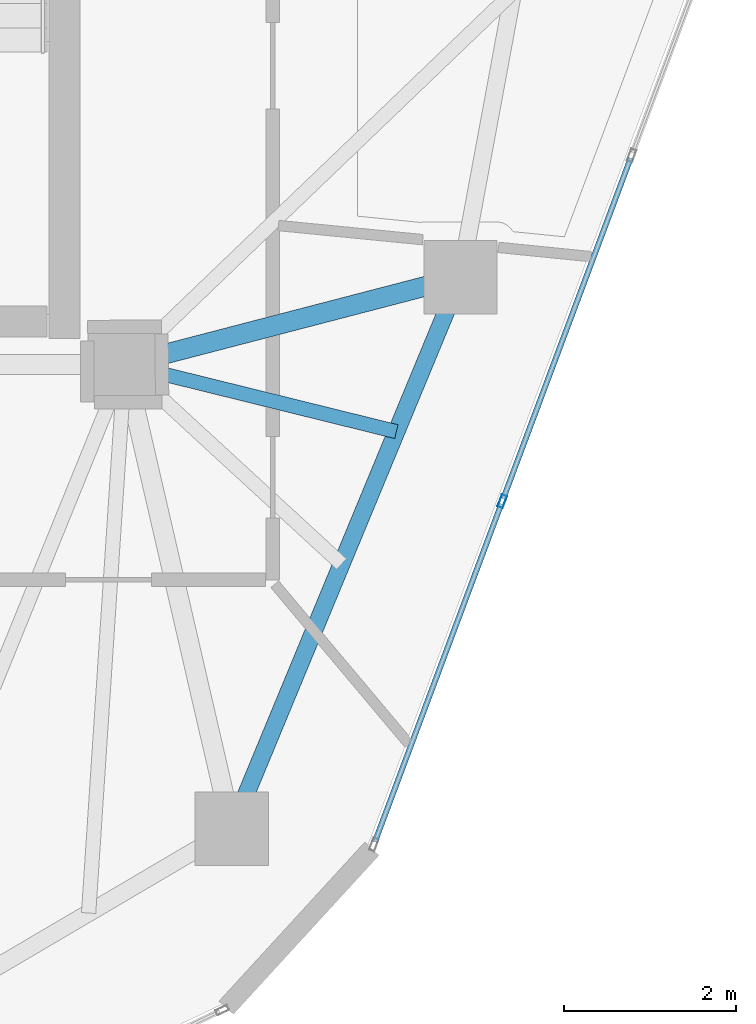
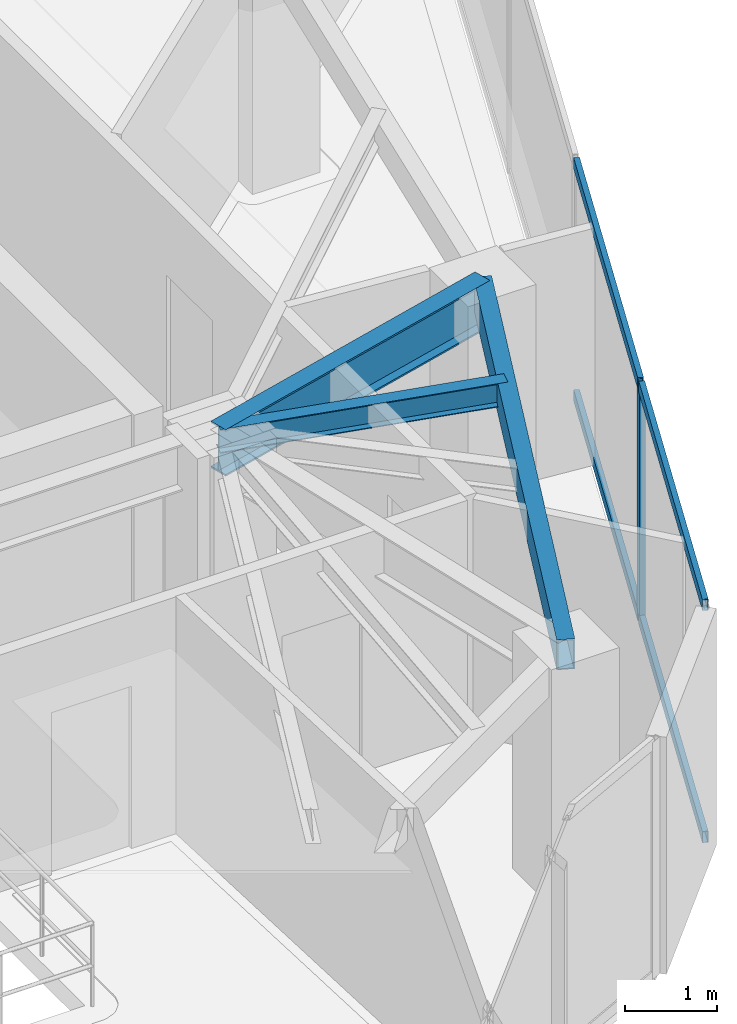
# One storey, part 7 of 20: 5 members, 3 beams, 1 element without a shape of its own.
"""IFC4 building model written with IfcOpenShell, lengths in metres."""

from ifc_helpers import new_model, si_unit, direction, frame, origin, origin_2d, place, context, subcontext, project, spatial, hollow_rectangle, i_section, extrude, source, transform, mapped, material, layer, layer_set, material_profile, profile_set, type_object, type_shapes, element, aggregate, save


model = new_model("IFC4")

# Units and contexts
model_context = context("Model", 3, precision=1e-05, world=origin(), true_north=direction((0.0, 1.0)))
body_context = subcontext(model_context, "Body", "Model", "MODEL_VIEW")
ifc_project = project(units=[si_unit("LENGTHUNIT", "METRE"), si_unit("AREAUNIT", "SQUARE_METRE"), si_unit("VOLUMEUNIT", "CUBIC_METRE"), si_unit("PLANEANGLEUNIT", "RADIAN"), si_unit("MASSUNIT", "GRAM", prefix="KILO")], contexts=[model_context])

# Site, building, storey
site_placement = place(None, origin())
site = spatial("IfcSite", under=ifc_project, at=site_placement, CompositionType="ELEMENT")
building_placement = place(site_placement, origin())
building = spatial("IfcBuilding", under=site, at=building_placement, Name="Talar Marvaseh", CompositionType="ELEMENT")
storey_placement = place(building_placement, frame((0.0, 0.0, 268.0)))
storey = spatial("IfcBuildingStorey", under=building, at=storey_placement, Name="L71", CompositionType="ELEMENT", Elevation=268.0)

# Beams
ifc_material_1 = material(Name="Steel S355", Category="steel")
ifc_material_profile_1 = material_profile(ifc_material_1, hollow_rectangle(XDim=0.199951171875, YDim=0.39990234375, WallThickness=0.013916015625, at=origin_2d()), Name="RHS400x200x14")
ifc_profile_set_1 = profile_set([ifc_material_profile_1], Name="Steel S355")
beam_type_1 = type_object("IfcBeamType", Name="Zone 3 Perimeter Spandrel Beam RHS400x200x14", PredefinedType="SPANDREL", material=ifc_profile_set_1)
beam_1_placement = place(storey_placement, frame((37.197021484375, 26.513916015625, 2.93994140625), z_axis=(-0.382798740112, -0.923831762048, 0.0), x_axis=(0.923831762048, -0.382798740112, 0.0)))
element("IfcBeam", 1, at=beam_1_placement, inside=storey, type_object=beam_type_1, Name="L71 Zone 3 Perimeter Spandrel Beam RHS400x200x14", PredefinedType="SPANDREL", context=body_context, shape_type="SweptSolid", body=[
    extrude(hollow_rectangle(XDim=0.199951171875, YDim=0.39990234375, WallThickness=0.013916015625, at=origin_2d()), origin(), (0.0, 0.0, 1.0), 6.9306640625),
])
ifc_material_profile_2 = material_profile(ifc_material_1, i_section(OverallWidth=0.166015625, OverallDepth=0.31298828125, WebThickness=0.006591796875, FlangeThickness=0.01123046875, at=origin_2d()), Name="W310x45")
ifc_profile_set_2 = profile_set([ifc_material_profile_2], Name="Steel S355")
beam_type_2 = type_object("IfcBeamType", Name="Zone 3 Secondary Floor Joist W310x45", PredefinedType="JOIST", material=ifc_profile_set_2)
beam_2_placement = place(storey_placement, frame((36.4541015625, 24.72119140625, 2.9833984375), z_axis=(-0.970841284349, 0.239723174942, 0.0), x_axis=(-0.239723174942, -0.970841284349, 0.0)))
element("IfcBeam", 2, at=beam_2_placement, inside=storey, type_object=beam_type_2, Name="L71 Zone 3 Secondary Floor Joist W310x45", PredefinedType="JOIST", context=body_context, shape_type="SweptSolid", body=[
    extrude(i_section(OverallWidth=0.166015625, OverallDepth=0.31298828125, WebThickness=0.006591796875, FlangeThickness=0.01123046875, at=origin_2d()), origin(), (0.0, 0.0, 1.0), 3.248779296875),
])
ifc_material_profile_3 = material_profile(ifc_material_1, i_section(OverallWidth=0.22998046875, OverallDepth=0.616943359375, WebThickness=0.01318359375, FlangeThickness=0.022216796875, at=origin_2d()), Name="W610x140")
ifc_profile_set_3 = profile_set([ifc_material_profile_3], Name="Steel S355")
beam_type_3 = type_object("IfcBeamType", Name="Zone 4 Radial Floor Girder W610x140", PredefinedType="BEAM", material=ifc_profile_set_3)
beam_3_placement = place(storey_placement, frame((37.197021484375, 26.513916015625, 2.83154296875), z_axis=(-0.967779967746, -0.251797406719, 0.0), x_axis=(0.251797406719, -0.967779967746, 0.0)))
element("IfcBeam", 3, at=beam_3_placement, inside=storey, type_object=beam_type_3, Name="L71 Zone 4 Radial Floor Girder W610x140", PredefinedType="BEAM", context=body_context, shape_type="SweptSolid", body=[
    extrude(i_section(OverallWidth=0.22998046875, OverallDepth=0.616943359375, WebThickness=0.01318359375, FlangeThickness=0.022216796875, at=origin_2d()), origin(), (0.0, 0.0, 1.0), 4.026611328125),
])

# Curtain wall, members
ifc_material_2 = material(Name="Architectural Aluminium", Category="aluminium")
ifc_layer = layer(ifc_material_2, 0.179931640625)
ifc_layer_set = layer_set([ifc_layer], Name="Architectural Aluminium")
curtain_wall_type = type_object("IfcCurtainWallType", Name="Unitised High-Wind Sky Curtain Wall Z4", PredefinedType="NOTDEFINED", material=ifc_layer_set)
curtain_wall_placement = place(storey_placement, origin())
curtain_wall = element("IfcCurtainWall", 4, at=curtain_wall_placement, inside=storey, type_object=curtain_wall_type, Name="L71 Unitised High-Wind Sky Curtain Wall Z4", PredefinedType="NOTDEFINED")
ifc_material_profile_4 = material_profile(ifc_material_2, hollow_rectangle(XDim=0.06494140625, YDim=0.14990234375, WallThickness=0.00390625, at=origin_2d()), Name="RHS150x65x4")
ifc_profile_set_4 = profile_set([ifc_material_profile_4], Name="Architectural Aluminium")
member_type_1 = type_object("IfcMemberType", Name="Unitised Curtain Wall Slim Mullion RHS150x65x4", PredefinedType="MULLION", material=ifc_profile_set_4)
shared_shape_1 = source(origin(), body_context, "Body", "SweptSolid", [
    extrude(hollow_rectangle(XDim=0.06494140625, YDim=0.14990234375, WallThickness=0.00390625, at=origin_2d()), origin(), (0.0, 0.0, 1.0), 3.139892578125),
])
type_shapes(member_type_1, [shared_shape_1])
member_1_placement = place(storey_placement, frame((37.683349609375, 23.912353515625, 0.0), z_axis=(0.0, 0.0, 1.0), x_axis=(0.93661841065, -0.350351185001, 0.0)))
member_1 = element("IfcMember", 5, at=member_1_placement, type_object=member_type_1, Name="CW-Z4 mullion 4", PredefinedType="MULLION", context=body_context, shape_type="MappedRepresentation", body=[
    mapped(shared_shape_1, transform((0.0, 0.0, 0.0), x_axis=(1.0, 0.0, 0.0), y_axis=(0.0, 1.0, 0.0), z_axis=(0.0, 0.0, 1.0), scale=1.0)),
])
ifc_material_profile_5 = material_profile(ifc_material_2, hollow_rectangle(XDim=0.06494140625, YDim=0.14990234375, WallThickness=0.00390625, at=origin_2d()), Name="RHS150x65x4")
ifc_profile_set_5 = profile_set([ifc_material_profile_5], Name="Architectural Aluminium")
member_type_2 = type_object("IfcMemberType", Name="Unitised Curtain Wall Slim Transom RHS150x65x4", PredefinedType="USERDEFINED", material=ifc_profile_set_5)
shared_shape_2 = source(origin(), body_context, "Body", "SweptSolid", [
    extrude(hollow_rectangle(XDim=0.06494140625, YDim=0.14990234375, WallThickness=0.00390625, at=origin_2d()), origin(), (0.0, 0.0, 1.0), 4.188720703125),
])
member_2_placement = place(storey_placement, frame((37.671875, 23.882080078125, 0.032470703125), z_axis=(-0.350344073233, -0.936621070845, 0.0), x_axis=(0.936621070845, -0.350344073233, 0.0)))
member_2 = element("IfcMember", 6, at=member_2_placement, type_object=member_type_2, Name="CW-Z4 transom 4.1", ObjectType="TRANSOM", PredefinedType="USERDEFINED", context=body_context, shape_type="MappedRepresentation", body=[
    mapped(shared_shape_2, transform((0.0, 0.0, 0.0), x_axis=(1.0, 0.0, 0.0), y_axis=(0.0, 1.0, 0.0), z_axis=(0.0, 0.0, 1.0), scale=1.0)),
])
member_3_placement = place(storey_placement, frame((37.671875, 23.882080078125, 3.107421875), z_axis=(-0.350344073233, -0.936621070845, 0.0), x_axis=(0.936621070845, -0.350344073233, 0.0)))
member_3 = element("IfcMember", 7, at=member_3_placement, type_object=member_type_2, Name="CW-Z4 transom 4.2", ObjectType="TRANSOM", PredefinedType="USERDEFINED", context=body_context, shape_type="MappedRepresentation", body=[
    mapped(shared_shape_2, transform((0.0, 0.0, 0.0), x_axis=(1.0, 0.0, 0.0), y_axis=(0.0, 1.0, 0.0), z_axis=(0.0, 0.0, 1.0), scale=1.0)),
])
shared_shape_3 = source(origin(), body_context, "Body", "SweptSolid", [
    extrude(hollow_rectangle(XDim=0.06494140625, YDim=0.14990234375, WallThickness=0.00390625, at=origin_2d()), origin(), (0.0, 0.0, 1.0), 4.22119140625),
])
type_shapes(member_type_2, [shared_shape_2, shared_shape_3])
member_4_placement = place(storey_placement, frame((39.173583984375, 27.896484375, 0.032470703125), z_axis=(-0.350375412431, -0.936609347788, 0.0), x_axis=(0.936609347788, -0.350375412431, 0.0)))
member_4 = element("IfcMember", 8, at=member_4_placement, type_object=member_type_2, Name="CW-Z4 transom 3.1", ObjectType="TRANSOM", PredefinedType="USERDEFINED", context=body_context, shape_type="MappedRepresentation", body=[
    mapped(shared_shape_3, transform((0.0, 0.0, 0.0), x_axis=(1.0, 0.0, 0.0), y_axis=(0.0, 1.0, 0.0), z_axis=(0.0, 0.0, 1.0), scale=1.0)),
])
member_5_placement = place(storey_placement, frame((39.173583984375, 27.896484375, 3.107421875), z_axis=(-0.350375412431, -0.936609347788, 0.0), x_axis=(0.936609347788, -0.350375412431, 0.0)))
member_5 = element("IfcMember", 9, at=member_5_placement, type_object=member_type_2, Name="CW-Z4 transom 3.2", ObjectType="TRANSOM", PredefinedType="USERDEFINED", context=body_context, shape_type="MappedRepresentation", body=[
    mapped(shared_shape_3, transform((0.0, 0.0, 0.0), x_axis=(1.0, 0.0, 0.0), y_axis=(0.0, 1.0, 0.0), z_axis=(0.0, 0.0, 1.0), scale=1.0)),
])
aggregate(curtain_wall, [member_1, member_4, member_5, member_2, member_3])

save(model, "model.ifc")
